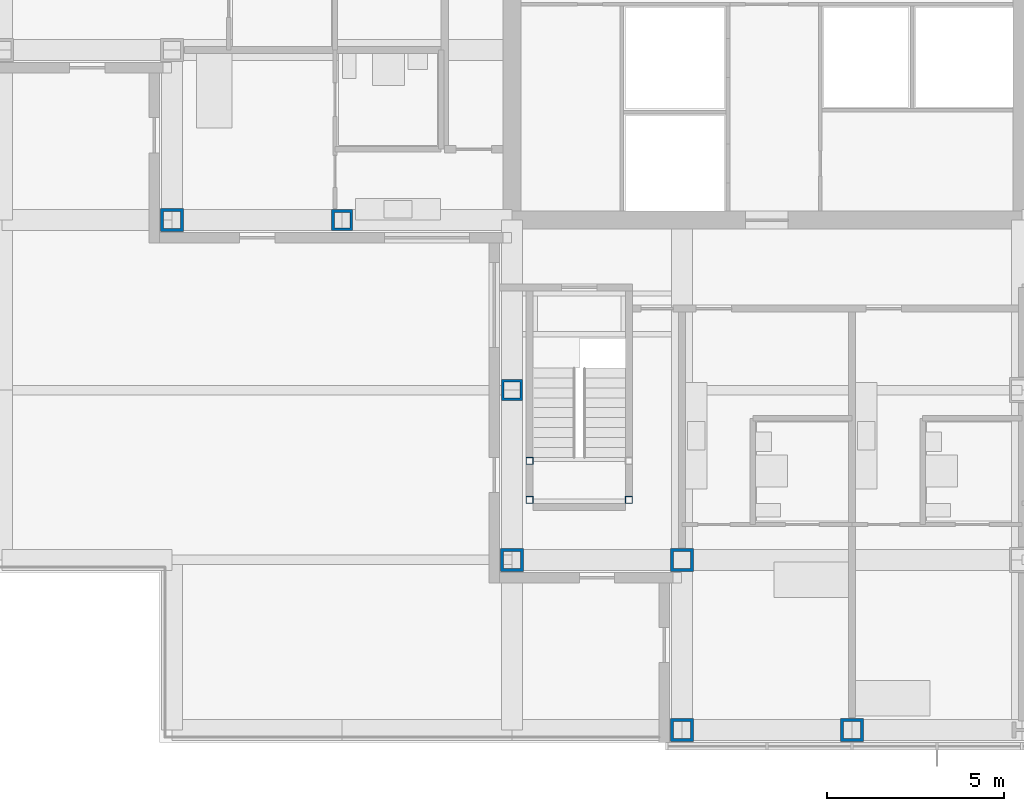
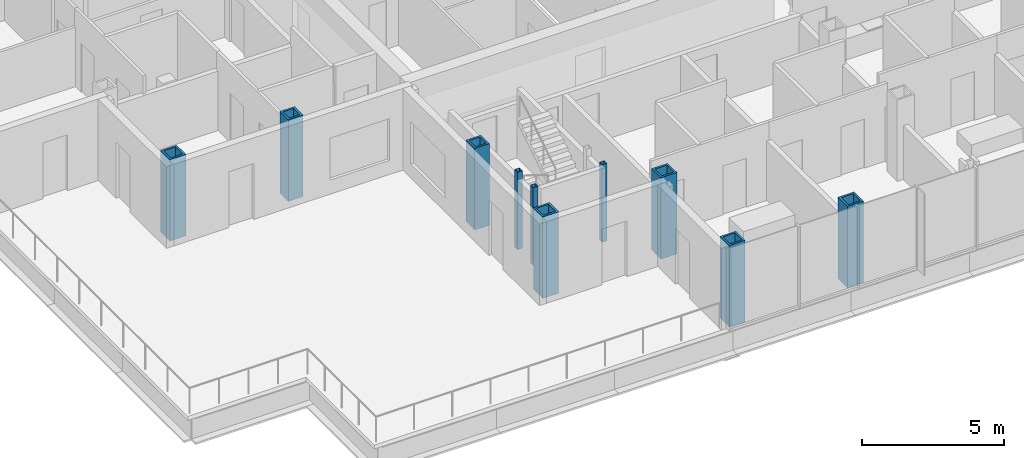
# One storey, part 1 of 19: 10 columns.
"""IFC4 building model written with IfcOpenShell, lengths in metres."""

from ifc_helpers import new_model, si_unit, direction, frame, origin, origin_2d, place, context, subcontext, project, spatial, hollow_rectangle, extrude, material, material_profile, profile_set, type_object, element, save


model = new_model("IFC4")

# Units and contexts
model_context = context("Model", 3, precision=1e-05, world=origin(), true_north=direction((0.0, 1.0)))
body_context = subcontext(model_context, "Body", "Model", "MODEL_VIEW")
ifc_project = project(units=[si_unit("LENGTHUNIT", "METRE"), si_unit("AREAUNIT", "SQUARE_METRE"), si_unit("VOLUMEUNIT", "CUBIC_METRE"), si_unit("PLANEANGLEUNIT", "RADIAN"), si_unit("MASSUNIT", "GRAM", prefix="KILO")], contexts=[model_context])

# Site, building, storey
site_placement = place(None, origin())
site = spatial("IfcSite", under=ifc_project, at=site_placement, CompositionType="ELEMENT")
building_placement = place(site_placement, origin())
building = spatial("IfcBuilding", under=site, at=building_placement, Name="Kvirike Care Tower", CompositionType="ELEMENT")
storey_placement = place(building_placement, frame((0.0, 0.0, 84.0)))
storey = spatial("IfcBuildingStorey", under=building, at=storey_placement, Name="L22", CompositionType="ELEMENT", Elevation=84.0)

# Columns
ifc_material_1 = material(Name="Steel S460", Category="steel")
ifc_material_profile_1 = material_profile(ifc_material_1, hollow_rectangle(XDim=0.60009765625, YDim=0.60009765625, WallThickness=0.080078125, at=origin_2d()), Name="BX 600x600x80")
ifc_profile_set_1 = profile_set([ifc_material_profile_1], Name="Steel S460")
column_type_1 = type_object("IfcColumnType", Name="COLUMN BX 600x600x80", PredefinedType="COLUMN", material=ifc_profile_set_1)
for number, where, z_axis, x_axis, name in (
    (1, (9.60009765625, 28.800048828125, 0.0), (0.0, 0.0, 1.0), (0.0, 1.0, 0.0), "Column G5 L22"),
    (2, (14.39990234375, 24.0, 0.0), (0.0, 0.0, 1.0), (1.0, 0.0, 0.0), "Column F6 L22"),
):
    element("IfcColumn", number, at=place(storey_placement, frame(where, z_axis=z_axis, x_axis=x_axis)), inside=storey, type_object=column_type_1, Name=name, PredefinedType="COLUMN", context=body_context, shape_type="SweptSolid", body=[
        extrude(hollow_rectangle(XDim=0.60009765625, YDim=0.60009765625, WallThickness=0.080078125, at=origin_2d()), origin(), (0.0, 0.0, 1.0), 3.5),
    ])
ifc_material_2 = material(Name="Steel S460", Category="steel")
ifc_material_profile_2 = material_profile(ifc_material_2, hollow_rectangle(XDim=0.64990234375, YDim=0.64990234375, WallThickness=0.080078125, at=origin_2d()), Name="BX 650x650x80")
ifc_profile_set_2 = profile_set([ifc_material_profile_2], Name="Steel S460")
column_type_2 = type_object("IfcColumnType", Name="COLUMN BX 650x650x80", PredefinedType="COLUMN", material=ifc_profile_set_2)
for number, where, z_axis, x_axis, name in (
    (3, (4.800048828125, 28.800048828125, 0.0), (0.0, 0.0, 1.0), (0.0, 1.0, 0.0), "Column G4 L22"),
    (4, (14.39990234375, 19.199951171875, 0.0), (0.0, 0.0, 1.0), (0.0, 1.0, 0.0), "Column E6 L22"),
    (5, (19.199951171875, 14.39990234375, 0.0), (0.0, 0.0, 1.0), (0.0, 1.0, 0.0), "Column D7 L22"),
    (6, (19.199951171875, 19.199951171875, 0.0), (0.0, 0.0, 1.0), (0.0, 1.0, 0.0), "Column E7 L22"),
    (7, (24.0, 14.39990234375, 0.0), (0.0, 0.0, 1.0), (0.0, 1.0, 0.0), "Column D8 L22"),
):
    element("IfcColumn", number, at=place(storey_placement, frame(where, z_axis=z_axis, x_axis=x_axis)), inside=storey, type_object=column_type_2, Name=name, PredefinedType="COLUMN", context=body_context, shape_type="SweptSolid", body=[
        extrude(hollow_rectangle(XDim=0.64990234375, YDim=0.64990234375, WallThickness=0.080078125, at=origin_2d()), origin(), (0.0, 0.0, 1.0), 3.5),
    ])
ifc_material_3 = material(Name="Steel S460", Category="steel")
ifc_material_profile_3 = material_profile(ifc_material_3, hollow_rectangle(XDim=0.199951171875, YDim=0.199951171875, WallThickness=0.008056640625, at=origin_2d()), Name="SHS 200x200x8")
ifc_profile_set_3 = profile_set([ifc_material_profile_3], Name="Steel S460")
column_type_3 = type_object("IfcColumnType", Name="STAIR POST SHS 200x200x8", PredefinedType="COLUMN", material=ifc_profile_set_3)
for number, where, z_axis, x_axis, name in (
    (8, (14.89990234375, 20.89990234375, 0.0), (0.0, 0.0, 1.0), (1.0, 0.0, 0.0), "Stair 5 post 1 L22"),
    (9, (17.699951171875, 20.89990234375, 0.0), (0.0, 0.0, 1.0), (1.0, 0.0, 0.0), "Stair 5 post 2 L22"),
    (10, (14.89990234375, 22.0, 0.0), (0.0, 0.0, 1.0), (1.0, 0.0, 0.0), "Stair 5 post 3 L22"),
):
    element("IfcColumn", number, at=place(storey_placement, frame(where, z_axis=z_axis, x_axis=x_axis)), inside=storey, type_object=column_type_3, Name=name, PredefinedType="COLUMN", context=body_context, shape_type="SweptSolid", body=[
        extrude(hollow_rectangle(XDim=0.199951171875, YDim=0.199951171875, WallThickness=0.008056640625, at=origin_2d()), origin(), (0.0, 0.0, 1.0), 3.330078125),
    ])

save(model, "model.ifc")
